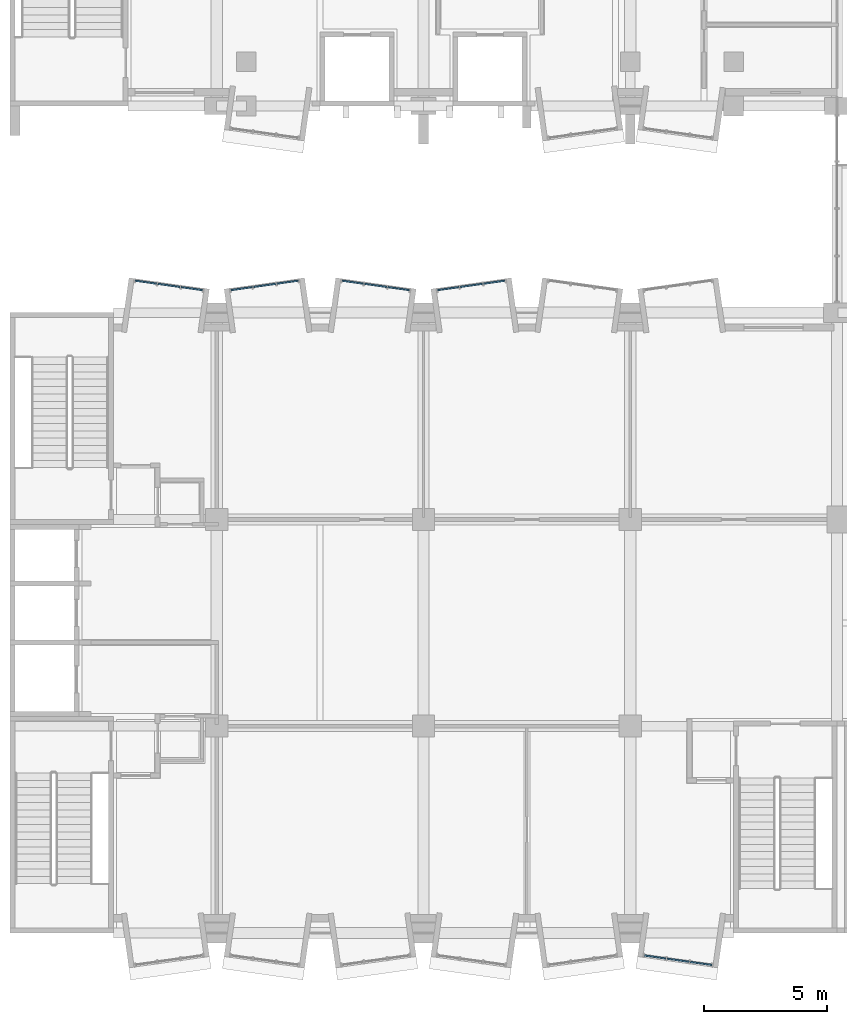
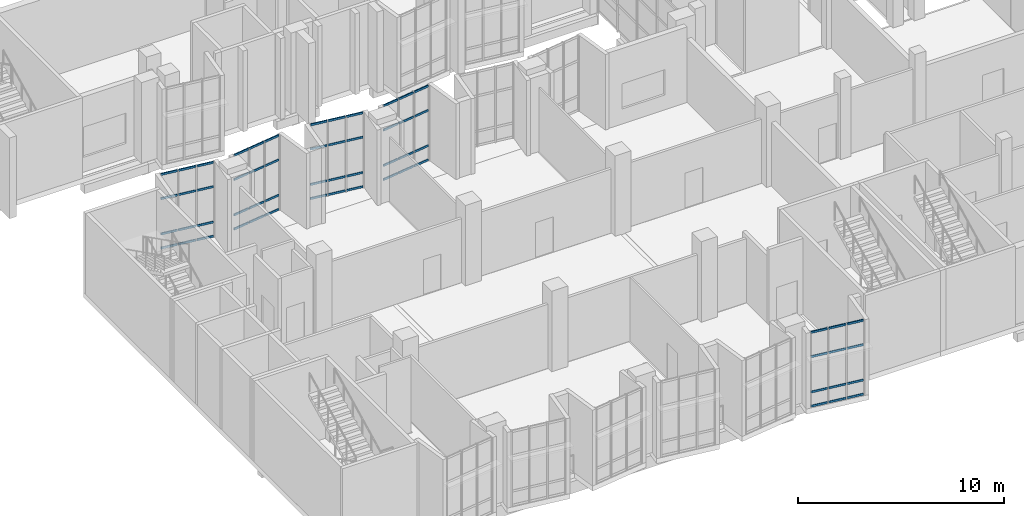
# One storey, part 16 of 91: 60 members, 5 elements without a shape of their own.
"""IFC4 building model written with IfcOpenShell, lengths in metres."""

from ifc_helpers import new_model, si_unit, direction, frame, origin, origin_2d, place, context, subcontext, project, spatial, rectangle, extrude, material, layer, layer_set, material_profile, profile_set, type_object, element, aggregate, save


model = new_model("IFC4")

# Units and contexts
model_context = context("Model", 3, precision=1e-05, world=origin(), true_north=direction((0.0, 1.0)))
body_context = subcontext(model_context, "Body", "Model", "MODEL_VIEW")
ifc_project = project(units=[si_unit("LENGTHUNIT", "METRE"), si_unit("AREAUNIT", "SQUARE_METRE"), si_unit("VOLUMEUNIT", "CUBIC_METRE"), si_unit("PLANEANGLEUNIT", "RADIAN"), si_unit("MASSUNIT", "GRAM", prefix="KILO")], contexts=[model_context])

# Site, building, storey
site_placement = place(None, origin())
site = spatial("IfcSite", under=ifc_project, at=site_placement, CompositionType="ELEMENT")
building_placement = place(site_placement, origin())
building = spatial("IfcBuilding", under=site, at=building_placement, Name="Kiln Court Media Centre", CompositionType="ELEMENT")
storey_placement = place(building_placement, frame((0.0, 0.0, 5.39990234375)))
storey = spatial("IfcBuildingStorey", under=building, at=storey_placement, Name="L01", CompositionType="ELEMENT", Elevation=5.39990234375)

# Curtain wall, members
ifc_material_1 = material(Name="Aluminium 6063-T6", Category="aluminium")
ifc_layer = layer(ifc_material_1, 0.1201171875)
ifc_layer_set = layer_set([ifc_layer], Name="Aluminium unitised bay curtain wall")
curtain_wall_type = type_object("IfcCurtainWallType", Name="Aluminium unitised bay curtain wall", PredefinedType="USERDEFINED", material=ifc_layer_set)
curtain_wall_1_placement = place(storey_placement, origin())
curtain_wall_1 = element("IfcCurtainWall", 1, at=curtain_wall_1_placement, inside=storey, type_object=curtain_wall_type, Name="BAY V6A-N-L01-02 front", ObjectType="UNITISED CURTAIN WALL", PredefinedType="USERDEFINED")
ifc_material_2 = material(Name="Aluminium 6063-T6", Category="aluminium")
ifc_material_profile = material_profile(ifc_material_2, rectangle(XDim=0.06005859375, YDim=0.1201171875, at=origin_2d()), Name="Aluminium transom 60x120")
ifc_profile_set = profile_set([ifc_material_profile], Name="Aluminium 6063-T6")
member_type = type_object("IfcMemberType", Name="Aluminium transom 60x120", PredefinedType="USERDEFINED", material=ifc_profile_set)
member_1_placement = place(storey_placement, frame((5.09423828125, 26.50048828125, 0.06005859375), z_axis=(0.990268108888, -0.139172815303, 0.0), x_axis=(0.139172815303, 0.990268108888, 0.0)))
member_1 = element("IfcMember", 2, at=member_1_placement, type_object=member_type, Name="CW1-04 transom 1.1", ObjectType="TRANSOM", PredefinedType="USERDEFINED", context=body_context, shape_type="SweptSolid", body=[
    extrude(rectangle(XDim=0.06005859375, YDim=0.1201171875, at=origin_2d()), origin(), (0.0, 0.0, 1.0), 0.86669921875),
])
member_2_placement = place(storey_placement, frame((5.09423828125, 26.50048828125, 0.900146484375), z_axis=(0.990268108888, -0.139172815303, 0.0), x_axis=(0.139172815303, 0.990268108888, 0.0)))
member_2 = element("IfcMember", 3, at=member_2_placement, type_object=member_type, Name="CW1-04 transom 1.2", ObjectType="TRANSOM", PredefinedType="USERDEFINED", context=body_context, shape_type="SweptSolid", body=[
    extrude(rectangle(XDim=0.06005859375, YDim=0.1201171875, at=origin_2d()), origin(), (0.0, 0.0, 1.0), 0.86669921875),
])
member_3_placement = place(storey_placement, frame((5.09423828125, 26.50048828125, 3.0), z_axis=(0.990268108888, -0.139172815303, 0.0), x_axis=(0.139172815303, 0.990268108888, 0.0)))
member_3 = element("IfcMember", 4, at=member_3_placement, type_object=member_type, Name="CW1-04 transom 1.3", ObjectType="TRANSOM", PredefinedType="USERDEFINED", context=body_context, shape_type="SweptSolid", body=[
    extrude(rectangle(XDim=0.06005859375, YDim=0.1201171875, at=origin_2d()), origin(), (0.0, 0.0, 1.0), 0.86669921875),
])
member_4_placement = place(storey_placement, frame((5.09423828125, 26.50048828125, 4.440185546875), z_axis=(0.990268108888, -0.139172815303, 0.0), x_axis=(0.139172815303, 0.990268108888, 0.0)))
member_4 = element("IfcMember", 5, at=member_4_placement, type_object=member_type, Name="CW1-04 transom 1.4", ObjectType="TRANSOM", PredefinedType="USERDEFINED", context=body_context, shape_type="SweptSolid", body=[
    extrude(rectangle(XDim=0.06005859375, YDim=0.1201171875, at=origin_2d()), origin(), (0.0, 0.0, 1.0), 0.86669921875),
])
member_5_placement = place(storey_placement, frame((6.011962890625, 26.37158203125, 0.06005859375), z_axis=(0.990273584723, -0.13913384707, 0.0), x_axis=(0.13913384707, 0.990273584723, 0.0)))
member_5 = element("IfcMember", 6, at=member_5_placement, type_object=member_type, Name="CW1-04 transom 2.1", ObjectType="TRANSOM", PredefinedType="USERDEFINED", context=body_context, shape_type="SweptSolid", body=[
    extrude(rectangle(XDim=0.06005859375, YDim=0.1201171875, at=origin_2d()), origin(), (0.0, 0.0, 1.0), 0.896728515625),
])
member_6_placement = place(storey_placement, frame((6.011962890625, 26.37158203125, 0.900146484375), z_axis=(0.990273584723, -0.13913384707, 0.0), x_axis=(0.13913384707, 0.990273584723, 0.0)))
member_6 = element("IfcMember", 7, at=member_6_placement, type_object=member_type, Name="CW1-04 transom 2.2", ObjectType="TRANSOM", PredefinedType="USERDEFINED", context=body_context, shape_type="SweptSolid", body=[
    extrude(rectangle(XDim=0.06005859375, YDim=0.1201171875, at=origin_2d()), origin(), (0.0, 0.0, 1.0), 0.896728515625),
])
member_7_placement = place(storey_placement, frame((6.011962890625, 26.37158203125, 3.0), z_axis=(0.990273584723, -0.13913384707, 0.0), x_axis=(0.13913384707, 0.990273584723, 0.0)))
member_7 = element("IfcMember", 8, at=member_7_placement, type_object=member_type, Name="CW1-04 transom 2.3", ObjectType="TRANSOM", PredefinedType="USERDEFINED", context=body_context, shape_type="SweptSolid", body=[
    extrude(rectangle(XDim=0.06005859375, YDim=0.1201171875, at=origin_2d()), origin(), (0.0, 0.0, 1.0), 0.896728515625),
])
member_8_placement = place(storey_placement, frame((6.011962890625, 26.37158203125, 4.440185546875), z_axis=(0.990273584723, -0.13913384707, 0.0), x_axis=(0.13913384707, 0.990273584723, 0.0)))
member_8 = element("IfcMember", 9, at=member_8_placement, type_object=member_type, Name="CW1-04 transom 2.4", ObjectType="TRANSOM", PredefinedType="USERDEFINED", context=body_context, shape_type="SweptSolid", body=[
    extrude(rectangle(XDim=0.06005859375, YDim=0.1201171875, at=origin_2d()), origin(), (0.0, 0.0, 1.0), 0.896728515625),
])
member_9_placement = place(storey_placement, frame((6.959228515625, 26.23828125, 0.06005859375), z_axis=(0.990268108888, -0.139172815303, 0.0), x_axis=(0.139172815303, 0.990268108888, 0.0)))
member_9 = element("IfcMember", 10, at=member_9_placement, type_object=member_type, Name="CW1-04 transom 3.1", ObjectType="TRANSOM", PredefinedType="USERDEFINED", context=body_context, shape_type="SweptSolid", body=[
    extrude(rectangle(XDim=0.06005859375, YDim=0.1201171875, at=origin_2d()), origin(), (0.0, 0.0, 1.0), 0.86669921875),
])
member_10_placement = place(storey_placement, frame((6.959228515625, 26.23828125, 0.900146484375), z_axis=(0.990268108888, -0.139172815303, 0.0), x_axis=(0.139172815303, 0.990268108888, 0.0)))
member_10 = element("IfcMember", 11, at=member_10_placement, type_object=member_type, Name="CW1-04 transom 3.2", ObjectType="TRANSOM", PredefinedType="USERDEFINED", context=body_context, shape_type="SweptSolid", body=[
    extrude(rectangle(XDim=0.06005859375, YDim=0.1201171875, at=origin_2d()), origin(), (0.0, 0.0, 1.0), 0.86669921875),
])
member_11_placement = place(storey_placement, frame((6.959228515625, 26.23828125, 3.0), z_axis=(0.990268108888, -0.139172815303, 0.0), x_axis=(0.139172815303, 0.990268108888, 0.0)))
member_11 = element("IfcMember", 12, at=member_11_placement, type_object=member_type, Name="CW1-04 transom 3.3", ObjectType="TRANSOM", PredefinedType="USERDEFINED", context=body_context, shape_type="SweptSolid", body=[
    extrude(rectangle(XDim=0.06005859375, YDim=0.1201171875, at=origin_2d()), origin(), (0.0, 0.0, 1.0), 0.86669921875),
])
member_12_placement = place(storey_placement, frame((6.959228515625, 26.23828125, 4.440185546875), z_axis=(0.990268108888, -0.139172815303, 0.0), x_axis=(0.139172815303, 0.990268108888, 0.0)))
member_12 = element("IfcMember", 13, at=member_12_placement, type_object=member_type, Name="CW1-04 transom 3.4", ObjectType="TRANSOM", PredefinedType="USERDEFINED", context=body_context, shape_type="SweptSolid", body=[
    extrude(rectangle(XDim=0.06005859375, YDim=0.1201171875, at=origin_2d()), origin(), (0.0, 0.0, 1.0), 0.86669921875),
])
aggregate(curtain_wall_1, [member_1, member_2, member_3, member_4, member_5, member_6, member_7, member_8, member_9, member_10, member_11, member_12])

curtain_wall_2_placement = place(storey_placement, origin())
curtain_wall_2 = element("IfcCurtainWall", 14, at=curtain_wall_2_placement, inside=storey, type_object=curtain_wall_type, Name="BAY V6A-N-L01-03 front", ObjectType="UNITISED CURTAIN WALL", PredefinedType="USERDEFINED")
member_13_placement = place(storey_placement, frame((8.982421875, 26.11767578125, 0.06005859375), z_axis=(0.990273563383, 0.139133998951, 0.0), x_axis=(-0.139133998951, 0.990273563383, 0.0)))
member_13 = element("IfcMember", 15, at=member_13_placement, type_object=member_type, Name="CW1-05 transom 1.1", ObjectType="TRANSOM", PredefinedType="USERDEFINED", context=body_context, shape_type="SweptSolid", body=[
    extrude(rectangle(XDim=0.06005859375, YDim=0.1201171875, at=origin_2d()), origin(), (0.0, 0.0, 1.0), 0.866943359375),
])
member_14_placement = place(storey_placement, frame((8.982421875, 26.11767578125, 0.900146484375), z_axis=(0.990273563383, 0.139133998951, 0.0), x_axis=(-0.139133998951, 0.990273563383, 0.0)))
member_14 = element("IfcMember", 16, at=member_14_placement, type_object=member_type, Name="CW1-05 transom 1.2", ObjectType="TRANSOM", PredefinedType="USERDEFINED", context=body_context, shape_type="SweptSolid", body=[
    extrude(rectangle(XDim=0.06005859375, YDim=0.1201171875, at=origin_2d()), origin(), (0.0, 0.0, 1.0), 0.866943359375),
])
member_15_placement = place(storey_placement, frame((8.982421875, 26.11767578125, 3.0), z_axis=(0.990273563383, 0.139133998951, 0.0), x_axis=(-0.139133998951, 0.990273563383, 0.0)))
member_15 = element("IfcMember", 17, at=member_15_placement, type_object=member_type, Name="CW1-05 transom 1.3", ObjectType="TRANSOM", PredefinedType="USERDEFINED", context=body_context, shape_type="SweptSolid", body=[
    extrude(rectangle(XDim=0.06005859375, YDim=0.1201171875, at=origin_2d()), origin(), (0.0, 0.0, 1.0), 0.866943359375),
])
member_16_placement = place(storey_placement, frame((8.982421875, 26.11767578125, 4.440185546875), z_axis=(0.990273563383, 0.139133998951, 0.0), x_axis=(-0.139133998951, 0.990273563383, 0.0)))
member_16 = element("IfcMember", 18, at=member_16_placement, type_object=member_type, Name="CW1-05 transom 1.4", ObjectType="TRANSOM", PredefinedType="USERDEFINED", context=body_context, shape_type="SweptSolid", body=[
    extrude(rectangle(XDim=0.06005859375, YDim=0.1201171875, at=origin_2d()), origin(), (0.0, 0.0, 1.0), 0.866943359375),
])
member_17_placement = place(storey_placement, frame((9.900146484375, 26.246826171875, 0.06005859375), z_axis=(0.990273584723, 0.13913384707, 0.0), x_axis=(-0.13913384707, 0.990273584723, 0.0)))
member_17 = element("IfcMember", 19, at=member_17_placement, type_object=member_type, Name="CW1-05 transom 2.1", ObjectType="TRANSOM", PredefinedType="USERDEFINED", context=body_context, shape_type="SweptSolid", body=[
    extrude(rectangle(XDim=0.06005859375, YDim=0.1201171875, at=origin_2d()), origin(), (0.0, 0.0, 1.0), 0.896728515625),
])
member_18_placement = place(storey_placement, frame((9.900146484375, 26.246826171875, 0.900146484375), z_axis=(0.990273584723, 0.13913384707, 0.0), x_axis=(-0.13913384707, 0.990273584723, 0.0)))
member_18 = element("IfcMember", 20, at=member_18_placement, type_object=member_type, Name="CW1-05 transom 2.2", ObjectType="TRANSOM", PredefinedType="USERDEFINED", context=body_context, shape_type="SweptSolid", body=[
    extrude(rectangle(XDim=0.06005859375, YDim=0.1201171875, at=origin_2d()), origin(), (0.0, 0.0, 1.0), 0.896728515625),
])
member_19_placement = place(storey_placement, frame((9.900146484375, 26.246826171875, 3.0), z_axis=(0.990273584723, 0.13913384707, 0.0), x_axis=(-0.13913384707, 0.990273584723, 0.0)))
member_19 = element("IfcMember", 21, at=member_19_placement, type_object=member_type, Name="CW1-05 transom 2.3", ObjectType="TRANSOM", PredefinedType="USERDEFINED", context=body_context, shape_type="SweptSolid", body=[
    extrude(rectangle(XDim=0.06005859375, YDim=0.1201171875, at=origin_2d()), origin(), (0.0, 0.0, 1.0), 0.896728515625),
])
member_20_placement = place(storey_placement, frame((9.900146484375, 26.246826171875, 4.440185546875), z_axis=(0.990273584723, 0.13913384707, 0.0), x_axis=(-0.13913384707, 0.990273584723, 0.0)))
member_20 = element("IfcMember", 22, at=member_20_placement, type_object=member_type, Name="CW1-05 transom 2.4", ObjectType="TRANSOM", PredefinedType="USERDEFINED", context=body_context, shape_type="SweptSolid", body=[
    extrude(rectangle(XDim=0.06005859375, YDim=0.1201171875, at=origin_2d()), origin(), (0.0, 0.0, 1.0), 0.896728515625),
])
member_21_placement = place(storey_placement, frame((10.84765625, 26.3798828125, 0.06005859375), z_axis=(0.990268108888, 0.139172815303, 0.0), x_axis=(-0.139172815303, 0.990268108888, 0.0)))
member_21 = element("IfcMember", 23, at=member_21_placement, type_object=member_type, Name="CW1-05 transom 3.1", ObjectType="TRANSOM", PredefinedType="USERDEFINED", context=body_context, shape_type="SweptSolid", body=[
    extrude(rectangle(XDim=0.06005859375, YDim=0.1201171875, at=origin_2d()), origin(), (0.0, 0.0, 1.0), 0.86669921875),
])
member_22_placement = place(storey_placement, frame((10.84765625, 26.3798828125, 0.900146484375), z_axis=(0.990268108888, 0.139172815303, 0.0), x_axis=(-0.139172815303, 0.990268108888, 0.0)))
member_22 = element("IfcMember", 24, at=member_22_placement, type_object=member_type, Name="CW1-05 transom 3.2", ObjectType="TRANSOM", PredefinedType="USERDEFINED", context=body_context, shape_type="SweptSolid", body=[
    extrude(rectangle(XDim=0.06005859375, YDim=0.1201171875, at=origin_2d()), origin(), (0.0, 0.0, 1.0), 0.86669921875),
])
member_23_placement = place(storey_placement, frame((10.84765625, 26.3798828125, 3.0), z_axis=(0.990268108888, 0.139172815303, 0.0), x_axis=(-0.139172815303, 0.990268108888, 0.0)))
member_23 = element("IfcMember", 25, at=member_23_placement, type_object=member_type, Name="CW1-05 transom 3.3", ObjectType="TRANSOM", PredefinedType="USERDEFINED", context=body_context, shape_type="SweptSolid", body=[
    extrude(rectangle(XDim=0.06005859375, YDim=0.1201171875, at=origin_2d()), origin(), (0.0, 0.0, 1.0), 0.86669921875),
])
member_24_placement = place(storey_placement, frame((10.84765625, 26.3798828125, 4.440185546875), z_axis=(0.990268108888, 0.139172815303, 0.0), x_axis=(-0.139172815303, 0.990268108888, 0.0)))
member_24 = element("IfcMember", 26, at=member_24_placement, type_object=member_type, Name="CW1-05 transom 3.4", ObjectType="TRANSOM", PredefinedType="USERDEFINED", context=body_context, shape_type="SweptSolid", body=[
    extrude(rectangle(XDim=0.06005859375, YDim=0.1201171875, at=origin_2d()), origin(), (0.0, 0.0, 1.0), 0.86669921875),
])
aggregate(curtain_wall_2, [member_13, member_14, member_15, member_16, member_17, member_18, member_19, member_20, member_21, member_22, member_23, member_24])

curtain_wall_3_placement = place(storey_placement, origin())
curtain_wall_3 = element("IfcCurtainWall", 27, at=curtain_wall_3_placement, inside=storey, type_object=curtain_wall_type, Name="BAY V6A-N-L01-04 front", ObjectType="UNITISED CURTAIN WALL", PredefinedType="USERDEFINED")
member_25_placement = place(storey_placement, frame((13.494140625, 26.50048828125, 0.06005859375), z_axis=(0.990273563383, -0.139133998951, 0.0), x_axis=(0.139133998951, 0.990273563383, 0.0)))
member_25 = element("IfcMember", 28, at=member_25_placement, type_object=member_type, Name="CW1-06 transom 1.1", ObjectType="TRANSOM", PredefinedType="USERDEFINED", context=body_context, shape_type="SweptSolid", body=[
    extrude(rectangle(XDim=0.06005859375, YDim=0.1201171875, at=origin_2d()), origin(), (0.0, 0.0, 1.0), 0.866943359375),
])
member_26_placement = place(storey_placement, frame((13.494140625, 26.50048828125, 0.900146484375), z_axis=(0.990273563383, -0.139133998951, 0.0), x_axis=(0.139133998951, 0.990273563383, 0.0)))
member_26 = element("IfcMember", 29, at=member_26_placement, type_object=member_type, Name="CW1-06 transom 1.2", ObjectType="TRANSOM", PredefinedType="USERDEFINED", context=body_context, shape_type="SweptSolid", body=[
    extrude(rectangle(XDim=0.06005859375, YDim=0.1201171875, at=origin_2d()), origin(), (0.0, 0.0, 1.0), 0.866943359375),
])
member_27_placement = place(storey_placement, frame((13.494140625, 26.50048828125, 3.0), z_axis=(0.990273563383, -0.139133998951, 0.0), x_axis=(0.139133998951, 0.990273563383, 0.0)))
member_27 = element("IfcMember", 30, at=member_27_placement, type_object=member_type, Name="CW1-06 transom 1.3", ObjectType="TRANSOM", PredefinedType="USERDEFINED", context=body_context, shape_type="SweptSolid", body=[
    extrude(rectangle(XDim=0.06005859375, YDim=0.1201171875, at=origin_2d()), origin(), (0.0, 0.0, 1.0), 0.866943359375),
])
member_28_placement = place(storey_placement, frame((13.494140625, 26.50048828125, 4.440185546875), z_axis=(0.990273563383, -0.139133998951, 0.0), x_axis=(0.139133998951, 0.990273563383, 0.0)))
member_28 = element("IfcMember", 31, at=member_28_placement, type_object=member_type, Name="CW1-06 transom 1.4", ObjectType="TRANSOM", PredefinedType="USERDEFINED", context=body_context, shape_type="SweptSolid", body=[
    extrude(rectangle(XDim=0.06005859375, YDim=0.1201171875, at=origin_2d()), origin(), (0.0, 0.0, 1.0), 0.866943359375),
])
member_29_placement = place(storey_placement, frame((14.411865234375, 26.37158203125, 0.06005859375), z_axis=(0.990273584723, -0.13913384707, 0.0), x_axis=(0.13913384707, 0.990273584723, 0.0)))
member_29 = element("IfcMember", 32, at=member_29_placement, type_object=member_type, Name="CW1-06 transom 2.1", ObjectType="TRANSOM", PredefinedType="USERDEFINED", context=body_context, shape_type="SweptSolid", body=[
    extrude(rectangle(XDim=0.06005859375, YDim=0.1201171875, at=origin_2d()), origin(), (0.0, 0.0, 1.0), 0.896728515625),
])
member_30_placement = place(storey_placement, frame((14.411865234375, 26.37158203125, 0.900146484375), z_axis=(0.990273584723, -0.13913384707, 0.0), x_axis=(0.13913384707, 0.990273584723, 0.0)))
member_30 = element("IfcMember", 33, at=member_30_placement, type_object=member_type, Name="CW1-06 transom 2.2", ObjectType="TRANSOM", PredefinedType="USERDEFINED", context=body_context, shape_type="SweptSolid", body=[
    extrude(rectangle(XDim=0.06005859375, YDim=0.1201171875, at=origin_2d()), origin(), (0.0, 0.0, 1.0), 0.896728515625),
])
member_31_placement = place(storey_placement, frame((14.411865234375, 26.37158203125, 3.0), z_axis=(0.990273584723, -0.13913384707, 0.0), x_axis=(0.13913384707, 0.990273584723, 0.0)))
member_31 = element("IfcMember", 34, at=member_31_placement, type_object=member_type, Name="CW1-06 transom 2.3", ObjectType="TRANSOM", PredefinedType="USERDEFINED", context=body_context, shape_type="SweptSolid", body=[
    extrude(rectangle(XDim=0.06005859375, YDim=0.1201171875, at=origin_2d()), origin(), (0.0, 0.0, 1.0), 0.896728515625),
])
member_32_placement = place(storey_placement, frame((14.411865234375, 26.37158203125, 4.440185546875), z_axis=(0.990273584723, -0.13913384707, 0.0), x_axis=(0.13913384707, 0.990273584723, 0.0)))
member_32 = element("IfcMember", 35, at=member_32_placement, type_object=member_type, Name="CW1-06 transom 2.4", ObjectType="TRANSOM", PredefinedType="USERDEFINED", context=body_context, shape_type="SweptSolid", body=[
    extrude(rectangle(XDim=0.06005859375, YDim=0.1201171875, at=origin_2d()), origin(), (0.0, 0.0, 1.0), 0.896728515625),
])
member_33_placement = place(storey_placement, frame((15.359130859375, 26.23828125, 0.06005859375), z_axis=(0.990273563383, -0.139133998951, 0.0), x_axis=(0.139133998951, 0.990273563383, 0.0)))
member_33 = element("IfcMember", 36, at=member_33_placement, type_object=member_type, Name="CW1-06 transom 3.1", ObjectType="TRANSOM", PredefinedType="USERDEFINED", context=body_context, shape_type="SweptSolid", body=[
    extrude(rectangle(XDim=0.06005859375, YDim=0.1201171875, at=origin_2d()), origin(), (0.0, 0.0, 1.0), 0.866943359375),
])
member_34_placement = place(storey_placement, frame((15.359130859375, 26.23828125, 0.900146484375), z_axis=(0.990273563383, -0.139133998951, 0.0), x_axis=(0.139133998951, 0.990273563383, 0.0)))
member_34 = element("IfcMember", 37, at=member_34_placement, type_object=member_type, Name="CW1-06 transom 3.2", ObjectType="TRANSOM", PredefinedType="USERDEFINED", context=body_context, shape_type="SweptSolid", body=[
    extrude(rectangle(XDim=0.06005859375, YDim=0.1201171875, at=origin_2d()), origin(), (0.0, 0.0, 1.0), 0.866943359375),
])
member_35_placement = place(storey_placement, frame((15.359130859375, 26.23828125, 3.0), z_axis=(0.990273563383, -0.139133998951, 0.0), x_axis=(0.139133998951, 0.990273563383, 0.0)))
member_35 = element("IfcMember", 38, at=member_35_placement, type_object=member_type, Name="CW1-06 transom 3.3", ObjectType="TRANSOM", PredefinedType="USERDEFINED", context=body_context, shape_type="SweptSolid", body=[
    extrude(rectangle(XDim=0.06005859375, YDim=0.1201171875, at=origin_2d()), origin(), (0.0, 0.0, 1.0), 0.866943359375),
])
member_36_placement = place(storey_placement, frame((15.359130859375, 26.23828125, 4.440185546875), z_axis=(0.990273563383, -0.139133998951, 0.0), x_axis=(0.139133998951, 0.990273563383, 0.0)))
member_36 = element("IfcMember", 39, at=member_36_placement, type_object=member_type, Name="CW1-06 transom 3.4", ObjectType="TRANSOM", PredefinedType="USERDEFINED", context=body_context, shape_type="SweptSolid", body=[
    extrude(rectangle(XDim=0.06005859375, YDim=0.1201171875, at=origin_2d()), origin(), (0.0, 0.0, 1.0), 0.866943359375),
])
aggregate(curtain_wall_3, [member_25, member_26, member_27, member_28, member_29, member_30, member_31, member_32, member_33, member_34, member_35, member_36])

curtain_wall_4_placement = place(storey_placement, origin())
curtain_wall_4 = element("IfcCurtainWall", 40, at=curtain_wall_4_placement, inside=storey, type_object=curtain_wall_type, Name="BAY V6A-N-L01-05 front", ObjectType="UNITISED CURTAIN WALL", PredefinedType="USERDEFINED")
member_37_placement = place(storey_placement, frame((17.382568359375, 26.11767578125, 0.06005859375), z_axis=(0.990268108888, 0.139172815303, 0.0), x_axis=(-0.139172815303, 0.990268108888, 0.0)))
member_37 = element("IfcMember", 41, at=member_37_placement, type_object=member_type, Name="CW1-07 transom 1.1", ObjectType="TRANSOM", PredefinedType="USERDEFINED", context=body_context, shape_type="SweptSolid", body=[
    extrude(rectangle(XDim=0.06005859375, YDim=0.1201171875, at=origin_2d()), origin(), (0.0, 0.0, 1.0), 0.86669921875),
])
member_38_placement = place(storey_placement, frame((17.382568359375, 26.11767578125, 0.900146484375), z_axis=(0.990268108888, 0.139172815303, 0.0), x_axis=(-0.139172815303, 0.990268108888, 0.0)))
member_38 = element("IfcMember", 42, at=member_38_placement, type_object=member_type, Name="CW1-07 transom 1.2", ObjectType="TRANSOM", PredefinedType="USERDEFINED", context=body_context, shape_type="SweptSolid", body=[
    extrude(rectangle(XDim=0.06005859375, YDim=0.1201171875, at=origin_2d()), origin(), (0.0, 0.0, 1.0), 0.86669921875),
])
member_39_placement = place(storey_placement, frame((17.382568359375, 26.11767578125, 3.0), z_axis=(0.990268108888, 0.139172815303, 0.0), x_axis=(-0.139172815303, 0.990268108888, 0.0)))
member_39 = element("IfcMember", 43, at=member_39_placement, type_object=member_type, Name="CW1-07 transom 1.3", ObjectType="TRANSOM", PredefinedType="USERDEFINED", context=body_context, shape_type="SweptSolid", body=[
    extrude(rectangle(XDim=0.06005859375, YDim=0.1201171875, at=origin_2d()), origin(), (0.0, 0.0, 1.0), 0.86669921875),
])
member_40_placement = place(storey_placement, frame((17.382568359375, 26.11767578125, 4.440185546875), z_axis=(0.990268108888, 0.139172815303, 0.0), x_axis=(-0.139172815303, 0.990268108888, 0.0)))
member_40 = element("IfcMember", 44, at=member_40_placement, type_object=member_type, Name="CW1-07 transom 1.4", ObjectType="TRANSOM", PredefinedType="USERDEFINED", context=body_context, shape_type="SweptSolid", body=[
    extrude(rectangle(XDim=0.06005859375, YDim=0.1201171875, at=origin_2d()), origin(), (0.0, 0.0, 1.0), 0.86669921875),
])
member_41_placement = place(storey_placement, frame((18.30029296875, 26.246826171875, 0.06005859375), z_axis=(0.990273584723, 0.13913384707, 0.0), x_axis=(-0.13913384707, 0.990273584723, 0.0)))
member_41 = element("IfcMember", 45, at=member_41_placement, type_object=member_type, Name="CW1-07 transom 2.1", ObjectType="TRANSOM", PredefinedType="USERDEFINED", context=body_context, shape_type="SweptSolid", body=[
    extrude(rectangle(XDim=0.06005859375, YDim=0.1201171875, at=origin_2d()), origin(), (0.0, 0.0, 1.0), 0.896728515625),
])
member_42_placement = place(storey_placement, frame((18.30029296875, 26.246826171875, 0.900146484375), z_axis=(0.990273584723, 0.13913384707, 0.0), x_axis=(-0.13913384707, 0.990273584723, 0.0)))
member_42 = element("IfcMember", 46, at=member_42_placement, type_object=member_type, Name="CW1-07 transom 2.2", ObjectType="TRANSOM", PredefinedType="USERDEFINED", context=body_context, shape_type="SweptSolid", body=[
    extrude(rectangle(XDim=0.06005859375, YDim=0.1201171875, at=origin_2d()), origin(), (0.0, 0.0, 1.0), 0.896728515625),
])
member_43_placement = place(storey_placement, frame((18.30029296875, 26.246826171875, 3.0), z_axis=(0.990273584723, 0.13913384707, 0.0), x_axis=(-0.13913384707, 0.990273584723, 0.0)))
member_43 = element("IfcMember", 47, at=member_43_placement, type_object=member_type, Name="CW1-07 transom 2.3", ObjectType="TRANSOM", PredefinedType="USERDEFINED", context=body_context, shape_type="SweptSolid", body=[
    extrude(rectangle(XDim=0.06005859375, YDim=0.1201171875, at=origin_2d()), origin(), (0.0, 0.0, 1.0), 0.896728515625),
])
member_44_placement = place(storey_placement, frame((18.30029296875, 26.246826171875, 4.440185546875), z_axis=(0.990273584723, 0.13913384707, 0.0), x_axis=(-0.13913384707, 0.990273584723, 0.0)))
member_44 = element("IfcMember", 48, at=member_44_placement, type_object=member_type, Name="CW1-07 transom 2.4", ObjectType="TRANSOM", PredefinedType="USERDEFINED", context=body_context, shape_type="SweptSolid", body=[
    extrude(rectangle(XDim=0.06005859375, YDim=0.1201171875, at=origin_2d()), origin(), (0.0, 0.0, 1.0), 0.896728515625),
])
member_45_placement = place(storey_placement, frame((19.24755859375, 26.3798828125, 0.06005859375), z_axis=(0.990268108888, 0.139172815303, 0.0), x_axis=(-0.139172815303, 0.990268108888, 0.0)))
member_45 = element("IfcMember", 49, at=member_45_placement, type_object=member_type, Name="CW1-07 transom 3.1", ObjectType="TRANSOM", PredefinedType="USERDEFINED", context=body_context, shape_type="SweptSolid", body=[
    extrude(rectangle(XDim=0.06005859375, YDim=0.1201171875, at=origin_2d()), origin(), (0.0, 0.0, 1.0), 0.86669921875),
])
member_46_placement = place(storey_placement, frame((19.24755859375, 26.3798828125, 0.900146484375), z_axis=(0.990268108888, 0.139172815303, 0.0), x_axis=(-0.139172815303, 0.990268108888, 0.0)))
member_46 = element("IfcMember", 50, at=member_46_placement, type_object=member_type, Name="CW1-07 transom 3.2", ObjectType="TRANSOM", PredefinedType="USERDEFINED", context=body_context, shape_type="SweptSolid", body=[
    extrude(rectangle(XDim=0.06005859375, YDim=0.1201171875, at=origin_2d()), origin(), (0.0, 0.0, 1.0), 0.86669921875),
])
member_47_placement = place(storey_placement, frame((19.24755859375, 26.3798828125, 3.0), z_axis=(0.990268108888, 0.139172815303, 0.0), x_axis=(-0.139172815303, 0.990268108888, 0.0)))
member_47 = element("IfcMember", 51, at=member_47_placement, type_object=member_type, Name="CW1-07 transom 3.3", ObjectType="TRANSOM", PredefinedType="USERDEFINED", context=body_context, shape_type="SweptSolid", body=[
    extrude(rectangle(XDim=0.06005859375, YDim=0.1201171875, at=origin_2d()), origin(), (0.0, 0.0, 1.0), 0.86669921875),
])
member_48_placement = place(storey_placement, frame((19.24755859375, 26.3798828125, 4.440185546875), z_axis=(0.990268108888, 0.139172815303, 0.0), x_axis=(-0.139172815303, 0.990268108888, 0.0)))
member_48 = element("IfcMember", 52, at=member_48_placement, type_object=member_type, Name="CW1-07 transom 3.4", ObjectType="TRANSOM", PredefinedType="USERDEFINED", context=body_context, shape_type="SweptSolid", body=[
    extrude(rectangle(XDim=0.06005859375, YDim=0.1201171875, at=origin_2d()), origin(), (0.0, 0.0, 1.0), 0.86669921875),
])
aggregate(curtain_wall_4, [member_37, member_38, member_39, member_40, member_41, member_42, member_43, member_44, member_45, member_46, member_47, member_48])

curtain_wall_5_placement = place(storey_placement, origin())
curtain_wall_5 = element("IfcCurtainWall", 53, at=curtain_wall_5_placement, inside=storey, type_object=curtain_wall_type, Name="BAY V6A-S-L01-07 front", ObjectType="UNITISED CURTAIN WALL", PredefinedType="USERDEFINED")
member_49_placement = place(storey_placement, frame((25.782470703125, -0.917724609375, 0.06005859375), z_axis=(0.990273563383, -0.139133998951, 0.0), x_axis=(0.139133998951, 0.990273563383, 0.0)))
member_49 = element("IfcMember", 54, at=member_49_placement, type_object=member_type, Name="CW1-15 transom 1.1", ObjectType="TRANSOM", PredefinedType="USERDEFINED", context=body_context, shape_type="SweptSolid", body=[
    extrude(rectangle(XDim=0.06005859375, YDim=0.1201171875, at=origin_2d()), origin(), (0.0, 0.0, 1.0), 0.866943359375),
])
member_50_placement = place(storey_placement, frame((25.782470703125, -0.917724609375, 0.900146484375), z_axis=(0.990273563383, -0.139133998951, 0.0), x_axis=(0.139133998951, 0.990273563383, 0.0)))
member_50 = element("IfcMember", 55, at=member_50_placement, type_object=member_type, Name="CW1-15 transom 1.2", ObjectType="TRANSOM", PredefinedType="USERDEFINED", context=body_context, shape_type="SweptSolid", body=[
    extrude(rectangle(XDim=0.06005859375, YDim=0.1201171875, at=origin_2d()), origin(), (0.0, 0.0, 1.0), 0.866943359375),
])
member_51_placement = place(storey_placement, frame((25.782470703125, -0.917724609375, 3.0), z_axis=(0.990273563383, -0.139133998951, 0.0), x_axis=(0.139133998951, 0.990273563383, 0.0)))
member_51 = element("IfcMember", 56, at=member_51_placement, type_object=member_type, Name="CW1-15 transom 1.3", ObjectType="TRANSOM", PredefinedType="USERDEFINED", context=body_context, shape_type="SweptSolid", body=[
    extrude(rectangle(XDim=0.06005859375, YDim=0.1201171875, at=origin_2d()), origin(), (0.0, 0.0, 1.0), 0.866943359375),
])
member_52_placement = place(storey_placement, frame((25.782470703125, -0.917724609375, 4.440185546875), z_axis=(0.990273563383, -0.139133998951, 0.0), x_axis=(0.139133998951, 0.990273563383, 0.0)))
member_52 = element("IfcMember", 57, at=member_52_placement, type_object=member_type, Name="CW1-15 transom 1.4", ObjectType="TRANSOM", PredefinedType="USERDEFINED", context=body_context, shape_type="SweptSolid", body=[
    extrude(rectangle(XDim=0.06005859375, YDim=0.1201171875, at=origin_2d()), origin(), (0.0, 0.0, 1.0), 0.866943359375),
])
member_53_placement = place(storey_placement, frame((26.7001953125, -1.046630859375, 0.06005859375), z_axis=(0.990273584723, -0.13913384707, 0.0), x_axis=(0.13913384707, 0.990273584723, 0.0)))
member_53 = element("IfcMember", 58, at=member_53_placement, type_object=member_type, Name="CW1-15 transom 2.1", ObjectType="TRANSOM", PredefinedType="USERDEFINED", context=body_context, shape_type="SweptSolid", body=[
    extrude(rectangle(XDim=0.06005859375, YDim=0.1201171875, at=origin_2d()), origin(), (0.0, 0.0, 1.0), 0.896728515625),
])
member_54_placement = place(storey_placement, frame((26.7001953125, -1.046630859375, 0.900146484375), z_axis=(0.990273584723, -0.13913384707, 0.0), x_axis=(0.13913384707, 0.990273584723, 0.0)))
member_54 = element("IfcMember", 59, at=member_54_placement, type_object=member_type, Name="CW1-15 transom 2.2", ObjectType="TRANSOM", PredefinedType="USERDEFINED", context=body_context, shape_type="SweptSolid", body=[
    extrude(rectangle(XDim=0.06005859375, YDim=0.1201171875, at=origin_2d()), origin(), (0.0, 0.0, 1.0), 0.896728515625),
])
member_55_placement = place(storey_placement, frame((26.7001953125, -1.046630859375, 3.0), z_axis=(0.990273584723, -0.13913384707, 0.0), x_axis=(0.13913384707, 0.990273584723, 0.0)))
member_55 = element("IfcMember", 60, at=member_55_placement, type_object=member_type, Name="CW1-15 transom 2.3", ObjectType="TRANSOM", PredefinedType="USERDEFINED", context=body_context, shape_type="SweptSolid", body=[
    extrude(rectangle(XDim=0.06005859375, YDim=0.1201171875, at=origin_2d()), origin(), (0.0, 0.0, 1.0), 0.896728515625),
])
member_56_placement = place(storey_placement, frame((26.7001953125, -1.046630859375, 4.440185546875), z_axis=(0.990273584723, -0.13913384707, 0.0), x_axis=(0.13913384707, 0.990273584723, 0.0)))
member_56 = element("IfcMember", 61, at=member_56_placement, type_object=member_type, Name="CW1-15 transom 2.4", ObjectType="TRANSOM", PredefinedType="USERDEFINED", context=body_context, shape_type="SweptSolid", body=[
    extrude(rectangle(XDim=0.06005859375, YDim=0.1201171875, at=origin_2d()), origin(), (0.0, 0.0, 1.0), 0.896728515625),
])
member_57_placement = place(storey_placement, frame((27.6474609375, -1.179931640625, 0.06005859375), z_axis=(0.990273563383, -0.139133998951, 0.0), x_axis=(0.139133998951, 0.990273563383, 0.0)))
member_57 = element("IfcMember", 62, at=member_57_placement, type_object=member_type, Name="CW1-15 transom 3.1", ObjectType="TRANSOM", PredefinedType="USERDEFINED", context=body_context, shape_type="SweptSolid", body=[
    extrude(rectangle(XDim=0.06005859375, YDim=0.1201171875, at=origin_2d()), origin(), (0.0, 0.0, 1.0), 0.866943359375),
])
member_58_placement = place(storey_placement, frame((27.6474609375, -1.179931640625, 0.900146484375), z_axis=(0.990273563383, -0.139133998951, 0.0), x_axis=(0.139133998951, 0.990273563383, 0.0)))
member_58 = element("IfcMember", 63, at=member_58_placement, type_object=member_type, Name="CW1-15 transom 3.2", ObjectType="TRANSOM", PredefinedType="USERDEFINED", context=body_context, shape_type="SweptSolid", body=[
    extrude(rectangle(XDim=0.06005859375, YDim=0.1201171875, at=origin_2d()), origin(), (0.0, 0.0, 1.0), 0.866943359375),
])
member_59_placement = place(storey_placement, frame((27.6474609375, -1.179931640625, 3.0), z_axis=(0.990273563383, -0.139133998951, 0.0), x_axis=(0.139133998951, 0.990273563383, 0.0)))
member_59 = element("IfcMember", 64, at=member_59_placement, type_object=member_type, Name="CW1-15 transom 3.3", ObjectType="TRANSOM", PredefinedType="USERDEFINED", context=body_context, shape_type="SweptSolid", body=[
    extrude(rectangle(XDim=0.06005859375, YDim=0.1201171875, at=origin_2d()), origin(), (0.0, 0.0, 1.0), 0.866943359375),
])
member_60_placement = place(storey_placement, frame((27.6474609375, -1.179931640625, 4.440185546875), z_axis=(0.990273563383, -0.139133998951, 0.0), x_axis=(0.139133998951, 0.990273563383, 0.0)))
member_60 = element("IfcMember", 65, at=member_60_placement, type_object=member_type, Name="CW1-15 transom 3.4", ObjectType="TRANSOM", PredefinedType="USERDEFINED", context=body_context, shape_type="SweptSolid", body=[
    extrude(rectangle(XDim=0.06005859375, YDim=0.1201171875, at=origin_2d()), origin(), (0.0, 0.0, 1.0), 0.866943359375),
])
aggregate(curtain_wall_5, [member_49, member_50, member_51, member_52, member_53, member_54, member_55, member_56, member_57, member_58, member_59, member_60])

save(model, "model.ifc")
